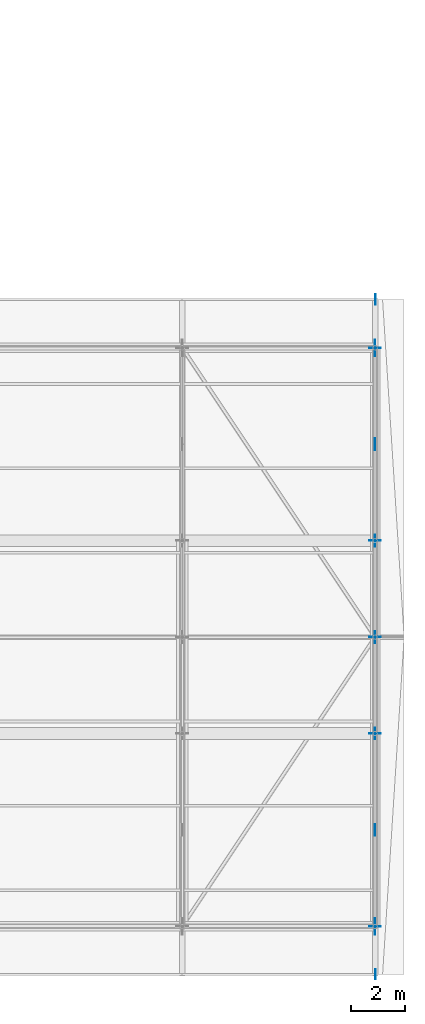
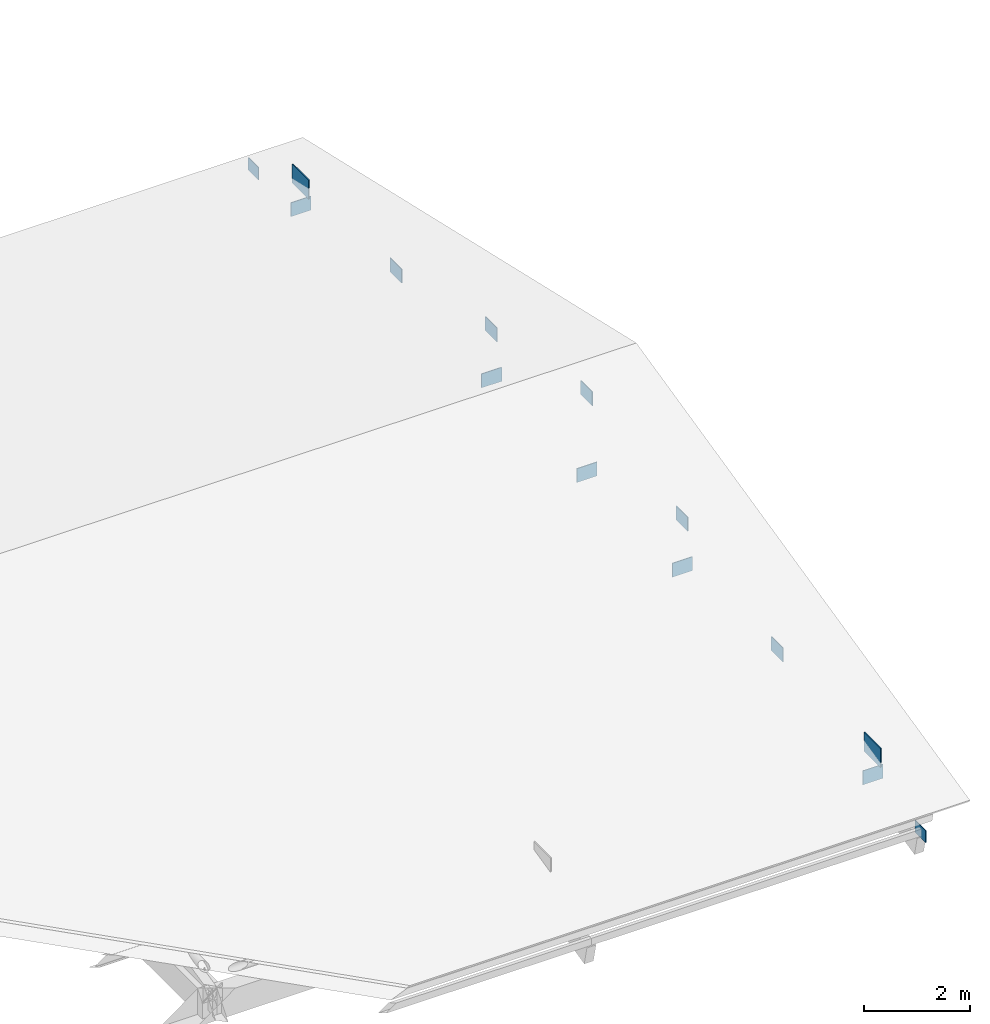
# One storey, part 70 of 93: 14 plates.
"""IFC4 building model written with IfcOpenShell, lengths in metres."""

from ifc_helpers import new_model, si_unit, direction, frame, origin, origin_2d, place, context, subcontext, project, spatial, rectangle, extrude, material, layer, layer_set, type_object, element, save


model = new_model("IFC4")

# Units and contexts
model_context = context("Model", 3, precision=1e-05, world=origin(), true_north=direction((0.0, 1.0)))
body_context = subcontext(model_context, "Body", "Model", "MODEL_VIEW")
ifc_project = project(units=[si_unit("LENGTHUNIT", "METRE"), si_unit("AREAUNIT", "SQUARE_METRE"), si_unit("VOLUMEUNIT", "CUBIC_METRE"), si_unit("PLANEANGLEUNIT", "RADIAN"), si_unit("MASSUNIT", "GRAM", prefix="KILO")], contexts=[model_context])

# Site, building, storey
site_placement = place(None, origin())
site = spatial("IfcSite", under=ifc_project, at=site_placement, CompositionType="ELEMENT")
building_placement = place(site_placement, origin())
building = spatial("IfcBuilding", under=site, at=building_placement, Name="Zornivar Specialist Clinic", CompositionType="ELEMENT")
storey_placement = place(building_placement, frame((0.0, 0.0, 8.39990234375)))
storey = spatial("IfcBuildingStorey", under=building, at=storey_placement, Name="L02", CompositionType="ELEMENT", Elevation=8.39990234375)

# Plates
ifc_material_1 = material(Name="Steel S355J2", Category="steel")
ifc_layer_1 = layer(ifc_material_1, 0.01611328125)
ifc_layer_set_1 = layer_set([ifc_layer_1], Name="Steel S355J2")
plate_type_1 = type_object("IfcPlateType", Name="PL-END-16", PredefinedType="USERDEFINED", material=ifc_layer_set_1)
for number, where, z_axis, x_axis, name in (
    (1, (165.60791015625, -1.800048828125, -0.44580078125), (0.0, 0.0, 1.0), (1.0, 0.0, 0.0), "plate:V4:L02:ecapE:00"),
    (2, (165.60791015625, 23.39990234375, -0.44580078125), (0.0, 0.0, 1.0), (1.0, 0.0, 0.0), "plate:V4:L02:ecapE:08"),
):
    element("IfcPlate", number, at=place(storey_placement, frame(where, z_axis=z_axis, x_axis=x_axis)), inside=storey, type_object=plate_type_1, Name=name, ObjectType="END PLATE", PredefinedType="USERDEFINED", context=body_context, shape_type="SweptSolid", body=[
        extrude(rectangle(XDim=0.01611328125, YDim=0.39990234375, at=origin_2d()), origin(), (0.0, 0.0, 1.0), 0.280029296875),
    ])
ifc_material_2 = material(Name="Steel S355J2", Category="steel")
ifc_layer_2 = layer(ifc_material_2, 0.02197265625)
ifc_layer_set_2 = layer_set([ifc_layer_2], Name="Steel S355J2")
plate_type_2 = type_object("IfcPlateType", Name="PL-GUSSET-HEEL-22", PredefinedType="USERDEFINED", material=ifc_layer_set_2)
for number, where, z_axis, x_axis, name in (
    (3, (165.60009765625, 0.0, 0.27001953125), (0.0, 0.0, 1.0), (1.0, 0.0, 0.0), "plate:V4:L02:heel:6:S"),
    (4, (165.60009765625, 21.60009765625, 0.27001953125), (0.0, 0.0, 1.0), (1.0, 0.0, 0.0), "plate:V4:L02:heel:6:N"),
):
    element("IfcPlate", number, at=place(storey_placement, frame(where, z_axis=z_axis, x_axis=x_axis)), inside=storey, type_object=plate_type_2, Name=name, ObjectType="GUSSET PLATE", PredefinedType="USERDEFINED", context=body_context, shape_type="SweptSolid", body=[
        extrude(rectangle(XDim=0.02197265625, YDim=0.6201171875, at=origin_2d()), origin(), (0.0, 0.0, 1.0), 0.43994140625),
    ])
ifc_material_3 = material(Name="Steel S355J2", Category="steel")
ifc_layer_3 = layer(ifc_material_3, 0.01806640625)
ifc_layer_set_3 = layer_set([ifc_layer_3], Name="Steel S355J2")
plate_type_3 = type_object("IfcPlateType", Name="PL-GUSSET-V4-18", PredefinedType="USERDEFINED", material=ifc_layer_set_3)
plate_placement = place(storey_placement, frame((165.60009765625, 10.800048828125, 2.001953125), z_axis=(0.0, 0.0, 1.0), x_axis=(1.0, 0.0, 0.0)))
element("IfcPlate", 5, at=plate_placement, inside=storey, type_object=plate_type_3, Name="plate:V4:L02:ridge:6", ObjectType="GUSSET PLATE", PredefinedType="USERDEFINED", context=body_context, shape_type="SweptSolid", body=[
    extrude(rectangle(XDim=0.01806640625, YDim=0.43994140625, at=origin_2d()), origin(), (0.0, 0.0, 1.0), 0.320068359375),
])
for number, where, z_axis, x_axis, name in (
    (6, (165.60009765625, 0.0, -0.23974609375), (0.0, 0.0, 1.0), (1.0, 0.0, 0.0), "plate:bnode:L02:145"),
    (7, (165.60009765625, 21.60009765625, -0.23974609375), (0.0, 0.0, 1.0), (1.0, 0.0, 0.0), "plate:bnode:L02:146"),
    (8, (165.60009765625, 10.800048828125, 0.18017578125), (0.0, 0.0, 1.0), (1.0, 0.0, 0.0), "plate:bnode:L02:147"),
    (9, (165.60009765625, 7.199951171875, 1.2939453125), (0.0, 0.0, 1.0), (0.0, 1.0, 0.0), "plate:bnode:L02:148"),
    (10, (165.60009765625, 7.199951171875, 0.18017578125), (0.0, 0.0, 1.0), (1.0, 0.0, 0.0), "plate:bnode:L02:149"),
    (11, (165.60009765625, 3.60009765625, 0.46484375), (0.0, 0.0, 1.0), (0.0, 1.0, 0.0), "plate:bnode:L02:150"),
    (12, (165.60009765625, 14.39990234375, 1.2939453125), (0.0, 0.0, 1.0), (0.0, 1.0, 0.0), "plate:bnode:L02:151"),
    (13, (165.60009765625, 14.39990234375, 0.18017578125), (0.0, 0.0, 1.0), (1.0, 0.0, 0.0), "plate:bnode:L02:152"),
    (14, (165.60009765625, 18.0, 0.46484375), (0.0, 0.0, 1.0), (0.0, 1.0, 0.0), "plate:bnode:L02:153"),
):
    element("IfcPlate", number, at=place(storey_placement, frame(where, z_axis=z_axis, x_axis=x_axis)), inside=storey, type_object=plate_type_3, Name=name, ObjectType="GUSSET PLATE", PredefinedType="USERDEFINED", context=body_context, shape_type="SweptSolid", body=[
        extrude(rectangle(XDim=0.43994140625, YDim=0.01806640625, at=origin_2d()), origin(), (0.0, 0.0, 1.0), 0.320068359375),
    ])

save(model, "model.ifc")
